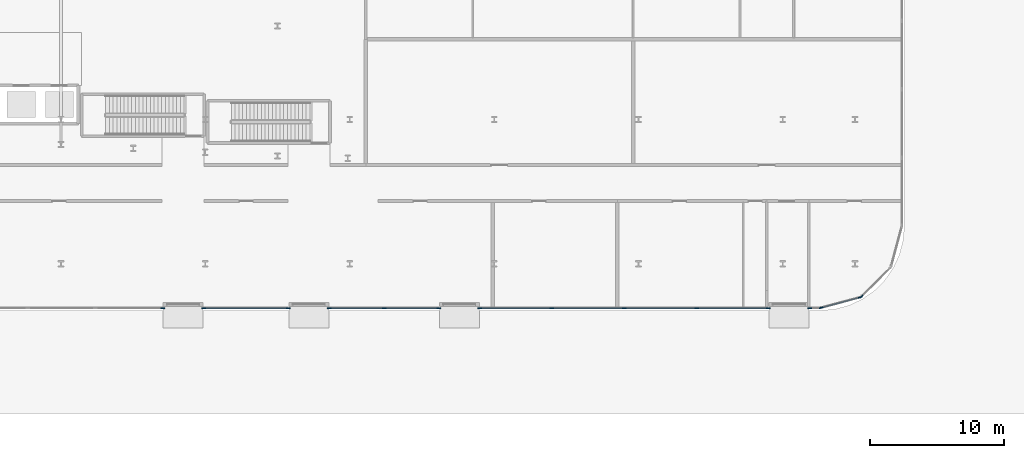
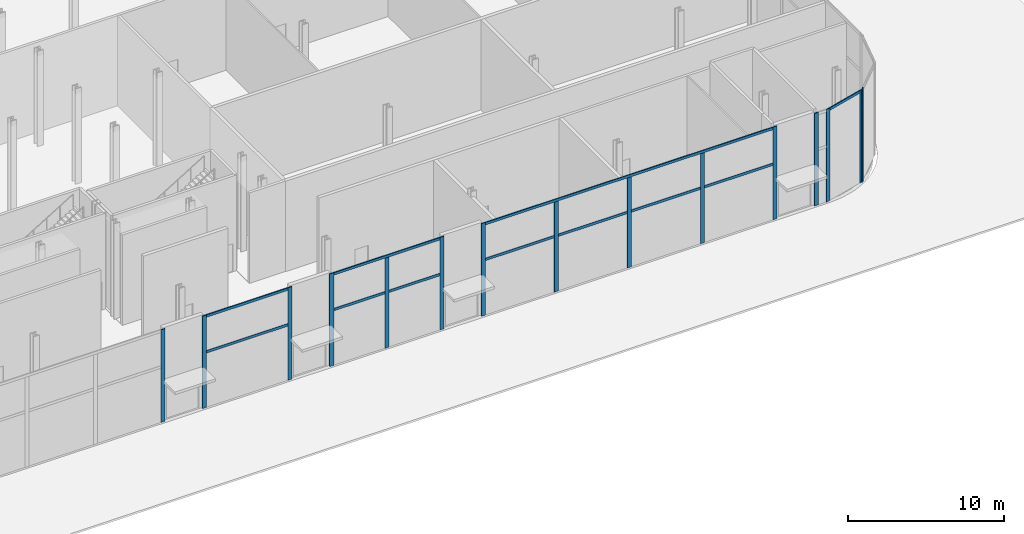
# One storey, part 9 of 46: 22 members, 7 elements without a shape of their own.
"""IFC4 building model written with IfcOpenShell, lengths in metres."""

from ifc_helpers import new_model, si_unit, direction, frame, origin, origin_2d, place, context, subcontext, project, spatial, rectangle, extrude, material, layer, layer_set, material_profile, profile_set, type_object, element, aggregate, save


model = new_model("IFC4")

# Units and contexts
model_context = context("Model", 3, precision=1e-05, world=origin(), true_north=direction((0.0, 1.0)))
body_context = subcontext(model_context, "Body", "Model", "MODEL_VIEW")
ifc_project = project(units=[si_unit("LENGTHUNIT", "METRE"), si_unit("AREAUNIT", "SQUARE_METRE"), si_unit("VOLUMEUNIT", "CUBIC_METRE"), si_unit("PLANEANGLEUNIT", "RADIAN"), si_unit("MASSUNIT", "GRAM", prefix="KILO")], contexts=[model_context])

# Site, building, storey
site_placement = place(None, origin())
site = spatial("IfcSite", under=ifc_project, at=site_placement, CompositionType="ELEMENT")
building_placement = place(site_placement, origin())
building = spatial("IfcBuilding", under=site, at=building_placement, Name="Kheshtan School and Residences Tower", CompositionType="ELEMENT")
storey_placement = place(building_placement, origin())
storey = spatial("IfcBuildingStorey", under=building, at=storey_placement, Name="L00", CompositionType="ELEMENT", Elevation=0.0)

# Curtain wall, member
ifc_material_1 = material(Name="Clear low-e glass in thermally broken aluminium frame", Category="aluminium")
ifc_layer = layer(ifc_material_1, 0.300048828125)
ifc_layer_set = layer_set([ifc_layer], Name="Curtain wall CW-A")
curtain_wall_type = type_object("IfcCurtainWallType", Name="Curtain wall CW-A", PredefinedType="NOTDEFINED", material=ifc_layer_set)
curtain_wall_1_placement = place(storey_placement, origin())
curtain_wall_1 = element("IfcCurtainWall", 1, at=curtain_wall_1_placement, inside=storey, type_object=curtain_wall_type, Name="Curtain wall CWA10", PredefinedType="NOTDEFINED")
ifc_material_2 = material(Name="Thermally broken aluminium, dark bronze anodised", Category="aluminium")
ifc_material_profile_1 = material_profile(ifc_material_2, rectangle(XDim=0.074951171875, YDim=0.300048828125, at=origin_2d()), Name="CW-A mullion 75x300")
ifc_profile_set_1 = profile_set([ifc_material_profile_1], Name="Thermally broken aluminium, dark bronze anodised")
member_type_1 = type_object("IfcMemberType", Name="CW-A mullion 75x300", PredefinedType="MULLION", material=ifc_profile_set_1)
member_1_placement = place(storey_placement, frame((129.09716796875, 10.759765625, 0.0), z_axis=(0.0, 0.0, 1.0), x_axis=(0.707106781187, -0.707106781187, 0.0)))
member_1 = element("IfcMember", 2, at=member_1_placement, type_object=member_type_1, Name="CWA10 mullion 2", PredefinedType="MULLION", context=body_context, shape_type="SweptSolid", body=[
    extrude(rectangle(XDim=0.074951171875, YDim=0.300048828125, at=origin_2d()), origin(), (0.0, 0.0, 1.0), 7.25),
])
aggregate(curtain_wall_1, [member_1])

# Curtain wall, members
curtain_wall_2_placement = place(storey_placement, origin())
curtain_wall_2 = element("IfcCurtainWall", 3, at=curtain_wall_2_placement, inside=storey, type_object=curtain_wall_type, Name="Curtain wall CWA11", PredefinedType="NOTDEFINED")
member_2_placement = place(storey_placement, frame((128.98974609375, 10.69775390625, 0.0), z_axis=(0.0, 0.0, 1.0), x_axis=(0.258864833085, -0.965913556273, 0.0)))
member_2 = element("IfcMember", 4, at=member_2_placement, type_object=member_type_1, Name="CWA11 mullion 1", PredefinedType="MULLION", context=body_context, shape_type="SweptSolid", body=[
    extrude(rectangle(XDim=0.074951171875, YDim=0.300048828125, at=origin_2d()), origin(), (0.0, 0.0, 1.0), 7.25),
])
member_3_placement = place(storey_placement, frame((126.06201171875, 9.9130859375, 0.0), z_axis=(0.0, 0.0, 1.0), x_axis=(0.258864833085, -0.965913556273, 0.0)))
member_3 = element("IfcMember", 5, at=member_3_placement, type_object=member_type_1, Name="CWA11 mullion 2", PredefinedType="MULLION", context=body_context, shape_type="SweptSolid", body=[
    extrude(rectangle(XDim=0.074951171875, YDim=0.300048828125, at=origin_2d()), origin(), (0.0, 0.0, 1.0), 7.25),
])

# Curtain wall, member
curtain_wall_3_placement = place(storey_placement, origin())
curtain_wall_3 = element("IfcCurtainWall", 6, at=curtain_wall_3_placement, inside=storey, type_object=curtain_wall_type, Name="Curtain wall CWA12", PredefinedType="NOTDEFINED")
member_4_placement = place(storey_placement, frame((125.197509765625, 9.89990234375, 0.0), z_axis=(0.0, 0.0, 1.0), x_axis=(0.0, -1.0, 0.0)))
member_4 = element("IfcMember", 7, at=member_4_placement, type_object=member_type_1, Name="CWA12 mullion 2", PredefinedType="MULLION", context=body_context, shape_type="SweptSolid", body=[
    extrude(rectangle(XDim=0.074951171875, YDim=0.300048828125, at=origin_2d()), origin(), (0.0, 0.0, 1.0), 7.25),
])
aggregate(curtain_wall_3, [member_4])

# Curtain wall, members
curtain_wall_4_placement = place(storey_placement, origin())
curtain_wall_4 = element("IfcCurtainWall", 8, at=curtain_wall_4_placement, inside=storey, type_object=curtain_wall_type, Name="Curtain wall CWA12a", PredefinedType="NOTDEFINED")
member_5_placement = place(storey_placement, frame((122.12255859375, 9.89990234375, 0.0), z_axis=(0.0, 0.0, 1.0), x_axis=(0.0, -1.0, 0.0)))
member_5 = element("IfcMember", 9, at=member_5_placement, type_object=member_type_1, Name="CWA12a mullion 1", PredefinedType="MULLION", context=body_context, shape_type="SweptSolid", body=[
    extrude(rectangle(XDim=0.074951171875, YDim=0.300048828125, at=origin_2d()), origin(), (0.0, 0.0, 1.0), 7.25),
])
member_6_placement = place(storey_placement, frame((116.7451171875, 9.89990234375, 0.0), z_axis=(0.0, 0.0, 1.0), x_axis=(0.0, -1.0, 0.0)))
member_6 = element("IfcMember", 10, at=member_6_placement, type_object=member_type_1, Name="CWA12a mullion 2", PredefinedType="MULLION", context=body_context, shape_type="SweptSolid", body=[
    extrude(rectangle(XDim=0.074951171875, YDim=0.300048828125, at=origin_2d()), origin(), (0.0, 0.0, 1.0), 7.050048828125),
])
member_7_placement = place(storey_placement, frame((111.330078125, 9.89990234375, 0.0), z_axis=(0.0, 0.0, 1.0), x_axis=(0.0, -1.0, 0.0)))
member_7 = element("IfcMember", 11, at=member_7_placement, type_object=member_type_1, Name="CWA12a mullion 3", PredefinedType="MULLION", context=body_context, shape_type="SweptSolid", body=[
    extrude(rectangle(XDim=0.074951171875, YDim=0.300048828125, at=origin_2d()), origin(), (0.0, 0.0, 1.0), 7.050048828125),
])
member_8_placement = place(storey_placement, frame((105.9150390625, 9.89990234375, 0.0), z_axis=(0.0, 0.0, 1.0), x_axis=(0.0, -1.0, 0.0)))
member_8 = element("IfcMember", 12, at=member_8_placement, type_object=member_type_1, Name="CWA12a mullion 4", PredefinedType="MULLION", context=body_context, shape_type="SweptSolid", body=[
    extrude(rectangle(XDim=0.074951171875, YDim=0.300048828125, at=origin_2d()), origin(), (0.0, 0.0, 1.0), 7.050048828125),
])
member_9_placement = place(storey_placement, frame((100.53759765625, 9.89990234375, 0.0), z_axis=(0.0, 0.0, 1.0), x_axis=(0.0, -1.0, 0.0)))
member_9 = element("IfcMember", 13, at=member_9_placement, type_object=member_type_1, Name="CWA12a mullion 5", PredefinedType="MULLION", context=body_context, shape_type="SweptSolid", body=[
    extrude(rectangle(XDim=0.074951171875, YDim=0.300048828125, at=origin_2d()), origin(), (0.0, 0.0, 1.0), 7.25),
])

curtain_wall_5_placement = place(storey_placement, origin())
curtain_wall_5 = element("IfcCurtainWall", 14, at=curtain_wall_5_placement, inside=storey, type_object=curtain_wall_type, Name="Curtain wall CWA12b", PredefinedType="NOTDEFINED")
member_10_placement = place(storey_placement, frame((97.46240234375, 9.89990234375, 0.0), z_axis=(0.0, 0.0, 1.0), x_axis=(0.0, -1.0, 0.0)))
member_10 = element("IfcMember", 15, at=member_10_placement, type_object=member_type_1, Name="CWA12b mullion 1", PredefinedType="MULLION", context=body_context, shape_type="SweptSolid", body=[
    extrude(rectangle(XDim=0.074951171875, YDim=0.300048828125, at=origin_2d()), origin(), (0.0, 0.0, 1.0), 7.25),
])
member_11_placement = place(storey_placement, frame((93.37255859375, 9.89990234375, 0.0), z_axis=(0.0, 0.0, 1.0), x_axis=(0.0, -1.0, 0.0)))
member_11 = element("IfcMember", 16, at=member_11_placement, type_object=member_type_1, Name="CWA12b mullion 2", PredefinedType="MULLION", context=body_context, shape_type="SweptSolid", body=[
    extrude(rectangle(XDim=0.074951171875, YDim=0.300048828125, at=origin_2d()), origin(), (0.0, 0.0, 1.0), 7.050048828125),
])
member_12_placement = place(storey_placement, frame((89.282470703125, 9.89990234375, 0.0), z_axis=(0.0, 0.0, 1.0), x_axis=(0.0, -1.0, 0.0)))
member_12 = element("IfcMember", 17, at=member_12_placement, type_object=member_type_1, Name="CWA12b mullion 3", PredefinedType="MULLION", context=body_context, shape_type="SweptSolid", body=[
    extrude(rectangle(XDim=0.074951171875, YDim=0.300048828125, at=origin_2d()), origin(), (0.0, 0.0, 1.0), 7.25),
])

curtain_wall_6_placement = place(storey_placement, origin())
curtain_wall_6 = element("IfcCurtainWall", 18, at=curtain_wall_6_placement, inside=storey, type_object=curtain_wall_type, Name="Curtain wall CWA12c", PredefinedType="NOTDEFINED")
member_13_placement = place(storey_placement, frame((86.20751953125, 9.89990234375, 0.0), z_axis=(0.0, 0.0, 1.0), x_axis=(0.0, -1.0, 0.0)))
member_13 = element("IfcMember", 19, at=member_13_placement, type_object=member_type_1, Name="CWA12c mullion 1", PredefinedType="MULLION", context=body_context, shape_type="SweptSolid", body=[
    extrude(rectangle(XDim=0.074951171875, YDim=0.300048828125, at=origin_2d()), origin(), (0.0, 0.0, 1.0), 7.25),
])
member_14_placement = place(storey_placement, frame((79.87255859375, 9.89990234375, 0.0), z_axis=(0.0, 0.0, 1.0), x_axis=(0.0, -1.0, 0.0)))
member_14 = element("IfcMember", 20, at=member_14_placement, type_object=member_type_1, Name="CWA12c mullion 2", PredefinedType="MULLION", context=body_context, shape_type="SweptSolid", body=[
    extrude(rectangle(XDim=0.074951171875, YDim=0.300048828125, at=origin_2d()), origin(), (0.0, 0.0, 1.0), 7.25),
])

# Curtain wall, member
curtain_wall_7_placement = place(storey_placement, origin())
curtain_wall_7 = element("IfcCurtainWall", 21, at=curtain_wall_7_placement, inside=storey, type_object=curtain_wall_type, Name="Curtain wall CWA12d", PredefinedType="NOTDEFINED")
member_15_placement = place(storey_placement, frame((76.797607421875, 9.89990234375, 0.0), z_axis=(0.0, 0.0, 1.0), x_axis=(0.0, -1.0, 0.0)))
member_15 = element("IfcMember", 22, at=member_15_placement, type_object=member_type_1, Name="CWA12d mullion 1", PredefinedType="MULLION", context=body_context, shape_type="SweptSolid", body=[
    extrude(rectangle(XDim=0.074951171875, YDim=0.300048828125, at=origin_2d()), origin(), (0.0, 0.0, 1.0), 7.25),
])
aggregate(curtain_wall_7, [member_15])

# Member
ifc_material_profile_2 = material_profile(ifc_material_2, rectangle(XDim=0.074951171875, YDim=0.199951171875, at=origin_2d()), Name="CW-A transom 75x200")
ifc_profile_set_2 = profile_set([ifc_material_profile_2], Name="Thermally broken aluminium, dark bronze anodised")
member_type_2 = type_object("IfcMemberType", Name="CW-A transom 75x200", PredefinedType="USERDEFINED", material=ifc_profile_set_2)
member_16_placement = place(storey_placement, frame((128.953369140625, 10.68798828125, 7.14990234375), z_axis=(-0.965913391048, -0.258865449593, 0.0), x_axis=(0.258865449593, -0.965913391048, 0.0)))
member_16 = element("IfcMember", 23, at=member_16_placement, type_object=member_type_2, Name="CWA11 transom 1", ObjectType="TRANSOM", PredefinedType="USERDEFINED", context=body_context, shape_type="SweptSolid", body=[
    extrude(rectangle(XDim=0.074951171875, YDim=0.199951171875, at=origin_2d()), origin(), (0.0, 0.0, 1.0), 2.955810546875),
])

aggregate(curtain_wall_2, [member_2, member_3, member_16])

member_17_placement = place(storey_placement, frame((122.0849609375, 9.89990234375, 4.35009765625), z_axis=(-1.0, 0.0, 0.0), x_axis=(0.0, -1.0, 0.0)))
member_17 = element("IfcMember", 24, at=member_17_placement, type_object=member_type_2, Name="CWA12a transom 1", ObjectType="TRANSOM", PredefinedType="USERDEFINED", context=body_context, shape_type="SweptSolid", body=[
    extrude(rectangle(XDim=0.074951171875, YDim=0.199951171875, at=origin_2d()), origin(), (0.0, 0.0, 1.0), 21.510009765625),
])

member_18_placement = place(storey_placement, frame((122.0849609375, 9.89990234375, 7.14990234375), z_axis=(-1.0, 0.0, 0.0), x_axis=(0.0, -1.0, 0.0)))
member_18 = element("IfcMember", 25, at=member_18_placement, type_object=member_type_2, Name="CWA12a transom 2", ObjectType="TRANSOM", PredefinedType="USERDEFINED", context=body_context, shape_type="SweptSolid", body=[
    extrude(rectangle(XDim=0.074951171875, YDim=0.199951171875, at=origin_2d()), origin(), (0.0, 0.0, 1.0), 21.510009765625),
])

aggregate(curtain_wall_4, [member_5, member_6, member_7, member_8, member_9, member_17, member_18])

member_19_placement = place(storey_placement, frame((97.425048828125, 9.89990234375, 4.35009765625), z_axis=(-1.0, 0.0, 0.0), x_axis=(0.0, -1.0, 0.0)))
member_19 = element("IfcMember", 26, at=member_19_placement, type_object=member_type_2, Name="CWA12b transom 1", ObjectType="TRANSOM", PredefinedType="USERDEFINED", context=body_context, shape_type="SweptSolid", body=[
    extrude(rectangle(XDim=0.074951171875, YDim=0.199951171875, at=origin_2d()), origin(), (0.0, 0.0, 1.0), 8.10498046875),
])

member_20_placement = place(storey_placement, frame((97.425048828125, 9.89990234375, 7.14990234375), z_axis=(-1.0, 0.0, 0.0), x_axis=(0.0, -1.0, 0.0)))
member_20 = element("IfcMember", 27, at=member_20_placement, type_object=member_type_2, Name="CWA12b transom 2", ObjectType="TRANSOM", PredefinedType="USERDEFINED", context=body_context, shape_type="SweptSolid", body=[
    extrude(rectangle(XDim=0.074951171875, YDim=0.199951171875, at=origin_2d()), origin(), (0.0, 0.0, 1.0), 8.10498046875),
])

aggregate(curtain_wall_5, [member_10, member_11, member_12, member_19, member_20])

member_21_placement = place(storey_placement, frame((86.169921875, 9.89990234375, 4.35009765625), z_axis=(-1.0, 0.0, 0.0), x_axis=(0.0, -1.0, 0.0)))
member_21 = element("IfcMember", 28, at=member_21_placement, type_object=member_type_2, Name="CWA12c transom 1", ObjectType="TRANSOM", PredefinedType="USERDEFINED", context=body_context, shape_type="SweptSolid", body=[
    extrude(rectangle(XDim=0.074951171875, YDim=0.199951171875, at=origin_2d()), origin(), (0.0, 0.0, 1.0), 6.260009765625),
])

member_22_placement = place(storey_placement, frame((86.169921875, 9.89990234375, 7.14990234375), z_axis=(-1.0, 0.0, 0.0), x_axis=(0.0, -1.0, 0.0)))
member_22 = element("IfcMember", 29, at=member_22_placement, type_object=member_type_2, Name="CWA12c transom 2", ObjectType="TRANSOM", PredefinedType="USERDEFINED", context=body_context, shape_type="SweptSolid", body=[
    extrude(rectangle(XDim=0.074951171875, YDim=0.199951171875, at=origin_2d()), origin(), (0.0, 0.0, 1.0), 6.260009765625),
])

aggregate(curtain_wall_6, [member_13, member_14, member_21, member_22])

save(model, "model.ifc")
